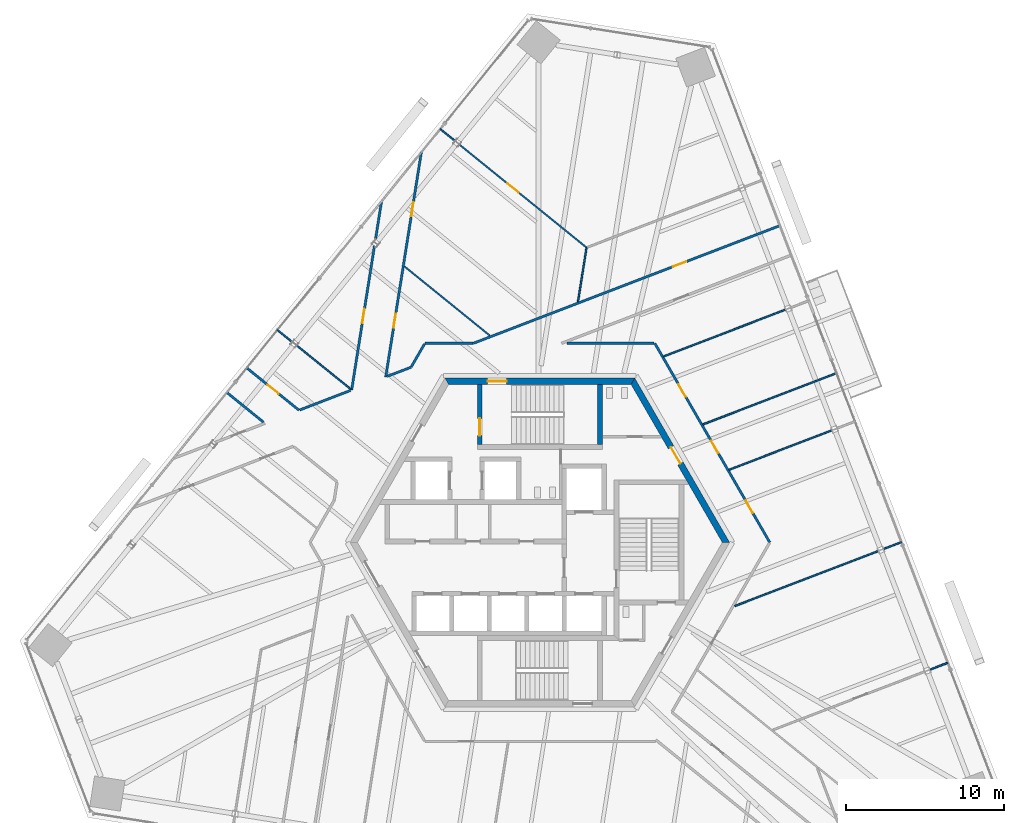
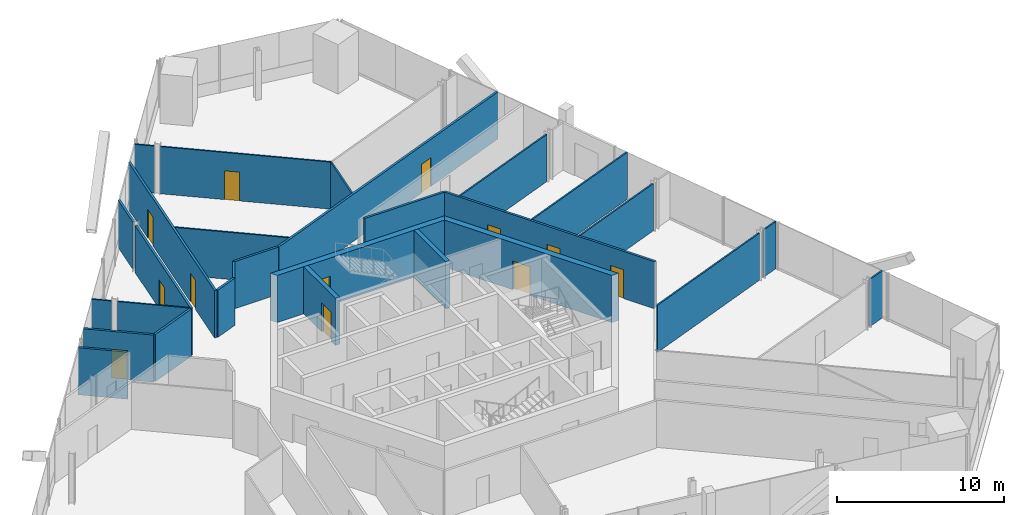
# One storey, part 14 of 19: 28 walls, 12 doors, 12 openings.
"""IFC4 building model written with IfcOpenShell, lengths in metres."""

from ifc_helpers import new_model, si_unit, direction, frame, frame_2d, origin, place, context, subcontext, project, spatial, polyline, rectangle, outline, extrude, source, transform, mapped, material, layer, layer_set, type_object, element, fill, save


model = new_model("IFC4")

# Units and contexts
model_context = context("Model", 3, precision=1e-05, world=origin(), true_north=direction((0.0, 1.0)))
body_context = subcontext(model_context, "Body", "Model", "MODEL_VIEW")
ifc_project = project(units=[si_unit("LENGTHUNIT", "METRE"), si_unit("AREAUNIT", "SQUARE_METRE"), si_unit("VOLUMEUNIT", "CUBIC_METRE"), si_unit("PLANEANGLEUNIT", "RADIAN"), si_unit("MASSUNIT", "GRAM", prefix="KILO")], contexts=[model_context])

# Site, building, storey
site_placement = place(None, origin())
site = spatial("IfcSite", under=ifc_project, at=site_placement, CompositionType="ELEMENT")
building_placement = place(site_placement, origin())
building = spatial("IfcBuilding", under=site, at=building_placement, Name="Triune Harvest Tower", CompositionType="ELEMENT")
storey_placement = place(building_placement, frame((0.0, 0.0, 164.10009765625)))
storey = spatial("IfcBuildingStorey", under=building, at=storey_placement, Name="L42", CompositionType="ELEMENT", Elevation=164.10009765625)

# Wall
ifc_material_1 = material(Name="Gypsum board on steel studs", Category="steel")
ifc_layer_1 = layer(ifc_material_1, 0.14990234375)
ifc_layer_set_1 = layer_set([ifc_layer_1], Name="Gypsum board on steel studs")
wall_type_1 = type_object("IfcWallType", Name="Fire Partition 150 mm", PredefinedType="PARTITIONING", material=ifc_layer_set_1)
wall_1_placement = place(storey_placement, frame((1.72607421875, 12.59228515625, 0.0), z_axis=(0.0, 0.0, 1.0), x_axis=(1.0, 0.0, 0.0)))
element("IfcWall", 1, at=wall_1_placement, inside=storey, type_object=wall_type_1, Name="Partition L42 020", PredefinedType="PARTITIONING", context=body_context, shape_type="SweptSolid", body=[
    extrude(rectangle(XDim=5.494140625, YDim=0.14990234375, at=frame_2d((2.7470703125, 0.0))), origin(), (0.0, 0.0, 1.0), 3.43994140625),
])

# Wall, openings, doors
wall_2_placement = place(storey_placement, frame((-9.745361328125, 10.465087890625, 0.0), z_axis=(0.0, 0.0, 1.0), x_axis=(0.156441111038, 0.98768728795, 0.0)))
wall_2 = element("IfcWall", 2, at=wall_2_placement, inside=storey, type_object=wall_type_1, Name="Partition L42 049", PredefinedType="PARTITIONING", context=body_context, shape_type="SweptSolid", body=[
    extrude(rectangle(XDim=14.38232421875, YDim=0.14990234375, at=frame_2d((7.191162109375, 0.0))), origin(), (0.0, 0.0, 1.0), 3.43994140625),
])
opening_1_placement = place(wall_2_placement, frame((10.2802734375, 0.0, 0.0)))
opening_1 = element("IfcOpeningElement", 3, at=opening_1_placement, cuts=wall_2, Name="Opening L42-008", PredefinedType="OPENING", context=body_context, shape_type="SweptSolid", body=[
    extrude(rectangle(XDim=0.89990234375, YDim=2.10009765625, at=frame_2d((0.449951171875, 1.050048828125))), frame((0.0, 0.0849609375, 0.0), z_axis=(0.0, -1.0, 0.0), x_axis=(1.0, 0.0, 0.0)), (0.0, 0.0, 1.0), 0.169921875),
])
opening_2_placement = place(wall_2_placement, frame((3.14990234375, 0.0, 0.0)))
opening_2 = element("IfcOpeningElement", 4, at=opening_2_placement, cuts=wall_2, Name="Opening L42-010", PredefinedType="OPENING", context=body_context, shape_type="SweptSolid", body=[
    extrude(rectangle(XDim=0.89990234375, YDim=2.10009765625, at=frame_2d((0.449951171875, 1.050048828125))), frame((0.0, 0.0849609375, 0.0), z_axis=(0.0, -1.0, 0.0), x_axis=(1.0, 0.0, 0.0)), (0.0, 0.0, 1.0), 0.169921875),
])
ifc_material_2 = material(Name="Timber and steel door set", Category="steel")
door_type_1 = type_object("IfcDoorType", Name="Single leaf door FD30 left hand 900 x 2100", OperationType="SINGLE_SWING_LEFT", PredefinedType="DOOR", material=ifc_material_2)
door_1_placement = place(opening_1_placement, origin())
door_1 = element("IfcDoor", 5, at=door_1_placement, inside=storey, type_object=door_type_1, Name="Door L42-008 Project Room 42.08", OperationType="SINGLE_SWING_LEFT", OverallHeight=2.10009765625, OverallWidth=0.89990234375, PredefinedType="DOOR", context=body_context, shape_type="SweptSolid", body=[
    extrude(rectangle(XDim=0.89990234375, YDim=2.10009765625, at=frame_2d((0.449951171875, 1.050048828125))), frame((0.0, 0.02490234375, 0.0), z_axis=(0.0, -1.0, 0.0), x_axis=(1.0, 0.0, 0.0)), (0.0, 0.0, 1.0), 0.050048828125),
])
fill(opening_1, door_1)
ifc_material_3 = material(Name="Timber and steel door set", Category="steel")
door_type_2 = type_object("IfcDoorType", Name="Single leaf door FD30 right hand 900 x 2100", OperationType="SINGLE_SWING_RIGHT", PredefinedType="DOOR", material=ifc_material_3)
door_2_placement = place(opening_2_placement, origin())
door_2 = element("IfcDoor", 6, at=door_2_placement, inside=storey, type_object=door_type_2, Name="Door L42-010 Meeting Room 42.10", OperationType="SINGLE_SWING_RIGHT", OverallHeight=2.10009765625, OverallWidth=0.89990234375, PredefinedType="DOOR", context=body_context, shape_type="SweptSolid", body=[
    extrude(rectangle(XDim=0.89990234375, YDim=2.10009765625, at=frame_2d((0.449951171875, 1.050048828125))), frame((0.0, 0.02490234375, 0.0), z_axis=(0.0, -1.0, 0.0), x_axis=(1.0, 0.0, 0.0)), (0.0, 0.0, 1.0), 0.050048828125),
])
fill(opening_2, door_2)

# Wall
ifc_material_4 = material(Name="Gypsum board on steel studs", Category="steel")
ifc_layer_2 = layer(ifc_material_4, 0.10009765625)
ifc_layer_set_2 = layer_set([ifc_layer_2], Name="Gypsum board on steel studs")
wall_type_2 = type_object("IfcWallType", Name="Partition 100 mm", PredefinedType="PARTITIONING", material=ifc_layer_set_2)
wall_3_placement = place(storey_placement, frame((10.302978515625, 7.45751953125, 0.0), z_axis=(0.0, 0.0, 1.0), x_axis=(0.933582245622, 0.358363210527, 0.0)))
element("IfcWall", 7, at=wall_3_placement, inside=storey, type_object=wall_type_2, Name="Partition L42 028", PredefinedType="PARTITIONING", context=body_context, shape_type="SweptSolid", body=[
    extrude(rectangle(XDim=9.0595703125, YDim=0.10009765625, at=frame_2d((4.52978515625, 0.0))), origin(), (0.0, 0.0, 1.0), 3.43994140625),
])

# Wall, opening, door
ifc_material_5 = material(Name="Concrete 70 MPa", Category="concrete")
ifc_layer_3 = layer(ifc_material_5, 0.39990234375)
ifc_layer_set_3 = layer_set([ifc_layer_3], Name="Concrete 70 MPa")
wall_type_3 = type_object("IfcWallType", Name="Core wall 400", PredefinedType="SHEAR", material=ifc_layer_set_3)
shared_shape_1 = source(origin(), body_context, "Body", "SweptSolid", [
    extrude(outline(polyline([(-0.115478515625, -0.199951171875), (11.884521484375, -0.199951171875), (11.653564453125, 0.199951171875), (0.115478515625, 0.199951171875), (-0.115478515625, -0.199951171875)])), origin(), (0.0, 0.0, 1.0), 3.43994140625),
])
wall_4_placement = place(storey_placement, frame((11.76904296875, 0.0, 0.0), z_axis=(0.0, 0.0, 1.0), x_axis=(-0.499996592174, 0.866027371285, 0.0)))
wall_4 = element("IfcWall", 8, at=wall_4_placement, inside=storey, type_object=wall_type_3, Name="Hexagon 0 wall", PredefinedType="SHEAR", context=body_context, shape_type="MappedRepresentation", body=[
    mapped(shared_shape_1, transform((0.0, 0.0, 0.0), scale=1.0)),
])
opening_3_placement = place(wall_4_placement, frame((5.75048828125, 0.0, 0.0)))
opening_3 = element("IfcOpeningElement", 9, at=opening_3_placement, cuts=wall_4, Name="Opening CD-WCP", PredefinedType="OPENING", context=body_context, shape_type="SweptSolid", body=[
    extrude(rectangle(XDim=1.199951171875, YDim=2.10009765625, at=frame_2d((0.60009765625, 1.050048828125))), frame((0.0, 0.2099609375, 0.0), z_axis=(0.0, -1.0, 0.0), x_axis=(1.0, 0.0, 0.0)), (0.0, 0.0, 1.0), 0.419921875),
])
ifc_material_6 = material(Name="Steel S235", Category="steel")
door_type_3 = type_object("IfcDoorType", Name="Lobby door 1200 FD120", OperationType="SINGLE_SWING_LEFT", PredefinedType="DOOR", material=ifc_material_6)
door_3_placement = place(opening_3_placement, frame((1.199951171875, 0.0, 0.0), z_axis=(0.0, 0.0, 1.0), x_axis=(-1.0, 0.0, 0.0)))
door_3 = element("IfcDoor", 10, at=door_3_placement, inside=storey, type_object=door_type_3, Name="Door CD-WCP", OperationType="SINGLE_SWING_RIGHT", OverallHeight=2.10009765625, OverallWidth=1.199951171875, PredefinedType="DOOR", context=body_context, shape_type="SweptSolid", body=[
    extrude(rectangle(XDim=1.199951171875, YDim=2.10009765625, at=frame_2d((0.60009765625, 1.050048828125))), frame((0.0, 0.02490234375, 0.0), z_axis=(0.0, -1.0, 0.0), x_axis=(1.0, 0.0, 0.0)), (0.0, 0.0, 1.0), 0.050048828125),
])
fill(opening_3, door_3)

wall_5_placement = place(storey_placement, frame((5.884521484375, 10.1923828125, 0.0), z_axis=(0.0, 0.0, 1.0), x_axis=(-1.0, 0.0, 0.0)))
wall_5 = element("IfcWall", 11, at=wall_5_placement, inside=storey, type_object=wall_type_3, Name="Hexagon 1 wall", PredefinedType="SHEAR", context=body_context, shape_type="MappedRepresentation", body=[
    mapped(shared_shape_1, transform((0.0, 0.0, 0.0), scale=1.0)),
])
opening_4_placement = place(wall_5_placement, frame((7.984619140625, 0.0, 0.0)))
opening_4 = element("IfcOpeningElement", 12, at=opening_4_placement, cuts=wall_5, Name="Opening CD-S1P", PredefinedType="OPENING", context=body_context, shape_type="SweptSolid", body=[
    extrude(rectangle(XDim=1.199951171875, YDim=2.10009765625, at=frame_2d((0.60009765625, 1.050048828125))), frame((0.0, 0.2099609375, 0.0), z_axis=(0.0, -1.0, 0.0), x_axis=(1.0, 0.0, 0.0)), (0.0, 0.0, 1.0), 0.419921875),
])
ifc_material_7 = material(Name="Steel S235", Category="steel")
door_type_4 = type_object("IfcDoorType", Name="Stair door 1200 FD120", OperationType="SINGLE_SWING_LEFT", PredefinedType="DOOR", material=ifc_material_7)
door_4_placement = place(opening_4_placement, frame((1.199951171875, 0.0, 0.0), z_axis=(0.0, 0.0, 1.0), x_axis=(-1.0, 0.0, 0.0)))
door_4 = element("IfcDoor", 13, at=door_4_placement, inside=storey, type_object=door_type_4, Name="Door CD-S1P", OperationType="SINGLE_SWING_RIGHT", OverallHeight=2.10009765625, OverallWidth=1.199951171875, PredefinedType="DOOR", context=body_context, shape_type="SweptSolid", body=[
    extrude(rectangle(XDim=1.199951171875, YDim=2.10009765625, at=frame_2d((0.60009765625, 1.050048828125))), frame((0.0, 0.02490234375, 0.0), z_axis=(0.0, -1.0, 0.0), x_axis=(1.0, 0.0, 0.0)), (0.0, 0.0, 1.0), 0.050048828125),
])
fill(opening_4, door_4)

ifc_material_8 = material(Name="Concrete 70 MPa", Category="concrete")
ifc_layer_4 = layer(ifc_material_8, 0.300048828125)
ifc_layer_set_4 = layer_set([ifc_layer_4], Name="Concrete 70 MPa")
wall_type_4 = type_object("IfcWallType", Name="Core wall 300", PredefinedType="SHEAR", material=ifc_layer_set_4)
shared_shape_2 = source(origin(), body_context, "Body", "SweptSolid", [
    extrude(outline(polyline([(0.0, -0.14990234375), (0.0, 0.14990234375), (3.80419921875, 0.14990234375), (3.80419921875, -0.14990234375), (0.0, -0.14990234375)])), origin(), (0.0, 0.0, 1.0), 3.43994140625),
])
wall_6_placement = place(storey_placement, frame((-3.800048828125, 6.18994140625, 0.0), z_axis=(0.0, 0.0, 1.0), x_axis=(0.0, 1.0, 0.0)))
wall_6 = element("IfcWall", 14, at=wall_6_placement, inside=storey, type_object=wall_type_4, Name="Stair n west wall", PredefinedType="SHEAR", context=body_context, shape_type="MappedRepresentation", body=[
    mapped(shared_shape_2, transform((0.0, 0.0, 0.0), scale=1.0)),
])
opening_5_placement = place(wall_6_placement, frame((0.56005859375, 0.0, 0.0)))
opening_5 = element("IfcOpeningElement", 15, at=opening_5_placement, cuts=wall_6, Name="Opening CD-S1L", PredefinedType="OPENING", context=body_context, shape_type="SweptSolid", body=[
    extrude(rectangle(XDim=1.10009765625, YDim=2.10009765625, at=frame_2d((0.550048828125, 1.050048828125))), frame((0.0, 0.16015625, 0.0), z_axis=(0.0, -1.0, 0.0), x_axis=(1.0, 0.0, 0.0)), (0.0, 0.0, 1.0), 0.320068359375),
])
ifc_material_9 = material(Name="Steel S235", Category="steel")
door_type_5 = type_object("IfcDoorType", Name="Stair door 1100 FD120", OperationType="SINGLE_SWING_LEFT", PredefinedType="DOOR", material=ifc_material_9)
door_5_placement = place(opening_5_placement, frame((1.10009765625, 0.0, 0.0), z_axis=(0.0, 0.0, 1.0), x_axis=(-1.0, 0.0, 0.0)))
door_5 = element("IfcDoor", 16, at=door_5_placement, inside=storey, type_object=door_type_5, Name="Door CD-S1L", OperationType="SINGLE_SWING_RIGHT", OverallHeight=2.10009765625, OverallWidth=1.10009765625, PredefinedType="DOOR", context=body_context, shape_type="SweptSolid", body=[
    extrude(rectangle(XDim=1.10009765625, YDim=2.10009765625, at=frame_2d((0.550048828125, 1.050048828125))), frame((0.0, 0.02490234375, 0.0), z_axis=(0.0, -1.0, 0.0), x_axis=(1.0, 0.0, 0.0)), (0.0, 0.0, 1.0), 0.050048828125),
])
fill(opening_5, door_5)

# Walls
wall_7_placement = place(storey_placement, frame((3.800048828125, 6.18994140625, 0.0), z_axis=(0.0, 0.0, 1.0), x_axis=(0.0, 1.0, 0.0)))
element("IfcWall", 17, at=wall_7_placement, inside=storey, type_object=wall_type_4, Name="Stair n east wall", PredefinedType="SHEAR", context=body_context, shape_type="MappedRepresentation", body=[
    mapped(shared_shape_2, transform((0.0, 0.0, 0.0), scale=1.0)),
])
shared_shape_3 = source(origin(), body_context, "Body", "SweptSolid", [
    extrude(rectangle(XDim=1.212158203125, YDim=0.10009765625, at=frame_2d((0.60595703125, 0.0))), origin(), (0.0, 0.0, 1.0), 3.43994140625),
])
for number, where, z_axis, x_axis, name in (
    (18, (-16.5927734375, 13.436279296875, 0.0), (0.0, 0.0, 1.0), (0.777240180322, -0.629204022629, 0.0), "Partition L42 011"),
    (19, (-6.30322265625, 26.142578125, 0.0), (0.0, 0.0, 1.0), (0.777240180322, -0.629204022629, 0.0), "Partition L42 016"),
    (20, (24.660400390625, -8.047119140625, 0.0), (0.0, 0.0, 1.0), (0.933594564159, 0.358331117506, 0.0), "Partition L42 022"),
    (21, (21.730712890625, -0.4150390625, 0.0), (0.0, 0.0, 1.0), (0.933594564159, 0.358331117506, 0.0), "Partition L42 024"),
):
    element("IfcWall", number, at=place(storey_placement, frame(where, z_axis=z_axis, x_axis=x_axis)), inside=storey, type_object=wall_type_2, Name=name, PredefinedType="PARTITIONING", context=body_context, shape_type="MappedRepresentation", body=[
        mapped(shared_shape_3, transform((0.0, 0.0, 0.0), scale=1.0)),
    ])

# Wall, opening, door
shared_shape_4 = source(origin(), body_context, "Body", "SweptSolid", [
    extrude(rectangle(XDim=10.345458984375, YDim=0.10009765625, at=frame_2d((5.1728515625, 0.0))), origin(), (0.0, 0.0, 1.0), 3.43994140625),
])
wall_8_placement = place(storey_placement, frame((-5.086669921875, 25.157470703125, 0.0), z_axis=(0.0, 0.0, 1.0), x_axis=(0.777155284418, -0.629308877978, 0.0)))
wall_8 = element("IfcWall", 22, at=wall_8_placement, inside=storey, type_object=wall_type_2, Name="Partition L42 017", PredefinedType="PARTITIONING", context=body_context, shape_type="MappedRepresentation", body=[
    mapped(shared_shape_4, transform((0.0, 0.0, 0.0), scale=1.0)),
])
opening_6_placement = place(wall_8_placement, frame((3.8955078125, 0.0, 0.0)))
opening_6 = element("IfcOpeningElement", 23, at=opening_6_placement, cuts=wall_8, Name="Opening L42-007", PredefinedType="OPENING", context=body_context, shape_type="SweptSolid", body=[
    extrude(rectangle(XDim=0.89990234375, YDim=2.10009765625, at=frame_2d((0.449951171875, 1.050048828125))), frame((0.0, 0.06005859375, 0.0), z_axis=(0.0, -1.0, 0.0), x_axis=(1.0, 0.0, 0.0)), (0.0, 0.0, 1.0), 0.1201171875),
])
ifc_material_10 = material(Name="Timber and steel door set", Category="steel")
door_type_6 = type_object("IfcDoorType", Name="Single leaf door left hand 900 x 2100", OperationType="SINGLE_SWING_LEFT", PredefinedType="DOOR", material=ifc_material_10)
door_6_placement = place(opening_6_placement, origin())
door_6 = element("IfcDoor", 24, at=door_6_placement, inside=storey, type_object=door_type_6, Name="Door L42-007 Reception 42.07", OperationType="SINGLE_SWING_LEFT", OverallHeight=2.10009765625, OverallWidth=0.89990234375, PredefinedType="DOOR", context=body_context, shape_type="SweptSolid", body=[
    extrude(rectangle(XDim=0.89990234375, YDim=2.10009765625, at=frame_2d((0.449951171875, 1.050048828125))), frame((0.0, 0.02490234375, 0.0), z_axis=(0.0, -1.0, 0.0), x_axis=(1.0, 0.0, 0.0)), (0.0, 0.0, 1.0), 0.050048828125),
])
fill(opening_6, door_6)

# Wall, openings, doors
shared_shape_5 = source(origin(), body_context, "Body", "SweptSolid", [
    extrude(rectangle(XDim=14.539794921875, YDim=0.14990234375, at=frame_2d((7.27001953125, 0.0))), origin(), (0.0, 0.0, 1.0), 3.43994140625),
])
wall_9_placement = place(storey_placement, frame((7.270263671875, 12.592041015625, 0.0), z_axis=(0.0, 0.0, 1.0), x_axis=(0.500007335828, -0.866021168401, 0.0)))
wall_9 = element("IfcWall", 25, at=wall_9_placement, inside=storey, type_object=wall_type_1, Name="Partition L42 004", PredefinedType="PARTITIONING", context=body_context, shape_type="MappedRepresentation", body=[
    mapped(shared_shape_5, transform((0.0, 0.0, 0.0), scale=1.0)),
])
opening_7_placement = place(wall_9_placement, frame((11.489990234375, 0.0, 0.0)))
opening_7 = element("IfcOpeningElement", 26, at=opening_7_placement, cuts=wall_9, Name="Opening L42-002", PredefinedType="OPENING", context=body_context, shape_type="SweptSolid", body=[
    extrude(rectangle(XDim=0.89990234375, YDim=2.10009765625, at=frame_2d((0.449951171875, 1.050048828125))), frame((0.0, 0.0849609375, 0.0), z_axis=(0.0, -1.0, 0.0), x_axis=(1.0, 0.0, 0.0)), (0.0, 0.0, 1.0), 0.169921875),
])
opening_8_placement = place(wall_9_placement, frame((3.003662109375, 0.0, 0.0)))
opening_8 = element("IfcOpeningElement", 27, at=opening_8_placement, cuts=wall_9, Name="Opening L42-003", PredefinedType="OPENING", context=body_context, shape_type="SweptSolid", body=[
    extrude(rectangle(XDim=0.89990234375, YDim=2.10009765625, at=frame_2d((0.449951171875, 1.050048828125))), frame((0.0, 0.0849609375, 0.0), z_axis=(0.0, -1.0, 0.0), x_axis=(1.0, 0.0, 0.0)), (0.0, 0.0, 1.0), 0.169921875),
])
opening_9_placement = place(wall_9_placement, frame((7.114501953125, 0.0, 0.0)))
opening_9 = element("IfcOpeningElement", 28, at=opening_9_placement, cuts=wall_9, Name="Opening L42-004", PredefinedType="OPENING", context=body_context, shape_type="SweptSolid", body=[
    extrude(rectangle(XDim=0.89990234375, YDim=2.10009765625, at=frame_2d((0.449951171875, 1.050048828125))), frame((0.0, 0.0849609375, 0.0), z_axis=(0.0, -1.0, 0.0), x_axis=(1.0, 0.0, 0.0)), (0.0, 0.0, 1.0), 0.169921875),
])
door_7_placement = place(opening_8_placement, origin())
door_7 = element("IfcDoor", 29, at=door_7_placement, inside=storey, type_object=door_type_1, Name="Door L42-003 Project Room 42.03", OperationType="SINGLE_SWING_LEFT", OverallHeight=2.10009765625, OverallWidth=0.89990234375, PredefinedType="DOOR", context=body_context, shape_type="SweptSolid", body=[
    extrude(rectangle(XDim=0.89990234375, YDim=2.10009765625, at=frame_2d((0.449951171875, 1.050048828125))), frame((0.0, 0.02490234375, 0.0), z_axis=(0.0, -1.0, 0.0), x_axis=(1.0, 0.0, 0.0)), (0.0, 0.0, 1.0), 0.050048828125),
])
fill(opening_8, door_7)
door_8_placement = place(opening_7_placement, origin())
door_8 = element("IfcDoor", 30, at=door_8_placement, inside=storey, type_object=door_type_2, Name="Door L42-002 Project Room 42.02", OperationType="SINGLE_SWING_RIGHT", OverallHeight=2.10009765625, OverallWidth=0.89990234375, PredefinedType="DOOR", context=body_context, shape_type="SweptSolid", body=[
    extrude(rectangle(XDim=0.89990234375, YDim=2.10009765625, at=frame_2d((0.449951171875, 1.050048828125))), frame((0.0, 0.02490234375, 0.0), z_axis=(0.0, -1.0, 0.0), x_axis=(1.0, 0.0, 0.0)), (0.0, 0.0, 1.0), 0.050048828125),
])
fill(opening_7, door_8)
door_9_placement = place(opening_9_placement, origin())
door_9 = element("IfcDoor", 31, at=door_9_placement, inside=storey, type_object=door_type_2, Name="Door L42-004 Phone room 42.04", OperationType="SINGLE_SWING_RIGHT", OverallHeight=2.10009765625, OverallWidth=0.89990234375, PredefinedType="DOOR", context=body_context, shape_type="SweptSolid", body=[
    extrude(rectangle(XDim=0.89990234375, YDim=2.10009765625, at=frame_2d((0.449951171875, 1.050048828125))), frame((0.0, 0.02490234375, 0.0), z_axis=(0.0, -1.0, 0.0), x_axis=(1.0, 0.0, 0.0)), (0.0, 0.0, 1.0), 0.050048828125),
])
fill(opening_9, door_9)

# Wall
shared_shape_6 = source(origin(), body_context, "Body", "SweptSolid", [
    extrude(rectangle(XDim=2.989013671875, YDim=0.14990234375, at=frame_2d((1.49462890625, 0.0))), origin(), (0.0, 0.0, 1.0), 3.43994140625),
])
wall_10_placement = place(storey_placement, frame((-19.794189453125, 9.482666015625, 0.0), z_axis=(0.0, 0.0, 1.0), x_axis=(0.777117409307, -0.629355648383, 0.0)))
element("IfcWall", 32, at=wall_10_placement, inside=storey, type_object=wall_type_1, Name="Partition L42 006", PredefinedType="PARTITIONING", context=body_context, shape_type="MappedRepresentation", body=[
    mapped(shared_shape_6, transform((0.0, 0.0, 0.0), scale=1.0)),
])

# Wall, opening, door
shared_shape_7 = source(origin(), body_context, "Body", "SweptSolid", [
    extrude(rectangle(XDim=4.25390625, YDim=0.14990234375, at=frame_2d((2.126953125, 0.0))), origin(), (0.0, 0.0, 1.0), 3.43994140625),
])
wall_11_placement = place(storey_placement, frame((-18.53564453125, 11.036865234375, 0.0), z_axis=(0.0, 0.0, 1.0), x_axis=(0.777153977788, -0.629310491577, 0.0)))
wall_11 = element("IfcWall", 33, at=wall_11_placement, inside=storey, type_object=wall_type_1, Name="Partition L42 009", PredefinedType="PARTITIONING", context=body_context, shape_type="MappedRepresentation", body=[
    mapped(shared_shape_7, transform((0.0, 0.0, 0.0), scale=1.0)),
])
opening_10_placement = place(wall_11_placement, frame((1.703857421875, 0.0, 0.0)))
opening_10 = element("IfcOpeningElement", 34, at=opening_10_placement, cuts=wall_11, Name="Opening L42-011", PredefinedType="OPENING", context=body_context, shape_type="SweptSolid", body=[
    extrude(rectangle(XDim=0.89990234375, YDim=2.10009765625, at=frame_2d((0.449951171875, 1.050048828125))), frame((0.0, 0.0849609375, 0.0), z_axis=(0.0, -1.0, 0.0), x_axis=(1.0, 0.0, 0.0)), (0.0, 0.0, 1.0), 0.169921875),
])
door_10_placement = place(opening_10_placement, origin())
door_10 = element("IfcDoor", 35, at=door_10_placement, inside=storey, type_object=door_type_2, Name="Door L42-011 Office 42.11", OperationType="SINGLE_SWING_RIGHT", OverallHeight=2.10009765625, OverallWidth=0.89990234375, PredefinedType="DOOR", context=body_context, shape_type="SweptSolid", body=[
    extrude(rectangle(XDim=0.89990234375, YDim=2.10009765625, at=frame_2d((0.449951171875, 1.050048828125))), frame((0.0, 0.02490234375, 0.0), z_axis=(0.0, -1.0, 0.0), x_axis=(1.0, 0.0, 0.0)), (0.0, 0.0, 1.0), 0.050048828125),
])
fill(opening_10, door_10)

# Walls
shared_shape_8 = source(origin(), body_context, "Body", "SweptSolid", [
    extrude(rectangle(XDim=4.381103515625, YDim=0.10009765625, at=frame_2d((2.1904296875, 0.0))), origin(), (0.0, 0.0, 1.0), 3.43994140625),
])
wall_12_placement = place(storey_placement, frame((-15.376220703125, 12.451171875, 0.0), z_axis=(0.0, 0.0, 1.0), x_axis=(0.777152723877, -0.629312040065, 0.0)))
element("IfcWall", 36, at=wall_12_placement, inside=storey, type_object=wall_type_2, Name="Partition L42 012", PredefinedType="PARTITIONING", context=body_context, shape_type="MappedRepresentation", body=[
    mapped(shared_shape_8, transform((0.0, 0.0, 0.0), scale=1.0)),
])
shared_shape_9 = source(origin(), body_context, "Body", "SweptSolid", [
    extrude(rectangle(XDim=6.950439453125, YDim=0.10009765625, at=frame_2d((3.47509765625, 0.0))), origin(), (0.0, 0.0, 1.0), 3.43994140625),
])
wall_13_placement = place(storey_placement, frame((-8.56005859375, 17.451171875, 0.0), z_axis=(0.0, 0.0, 1.0), x_axis=(0.777122974446, -0.629348776584, 0.0)))
element("IfcWall", 37, at=wall_13_placement, inside=storey, type_object=wall_type_2, Name="Partition L42 015", PredefinedType="PARTITIONING", context=body_context, shape_type="MappedRepresentation", body=[
    mapped(shared_shape_9, transform((0.0, 0.0, 0.0), scale=1.0)),
])
shared_shape_10 = source(origin(), body_context, "Body", "SweptSolid", [
    extrude(rectangle(XDim=3.05615234375, YDim=0.14990234375, at=frame_2d((1.528076171875, 0.0))), origin(), (0.0, 0.0, 1.0), 3.43994140625),
])
wall_14_placement = place(storey_placement, frame((-7.270263671875, 12.59228515625, 0.0), z_axis=(0.0, 0.0, 1.0), x_axis=(1.0, 0.0, 0.0)))
element("IfcWall", 38, at=wall_14_placement, inside=storey, type_object=wall_type_1, Name="Partition L42 019", PredefinedType="PARTITIONING", context=body_context, shape_type="MappedRepresentation", body=[
    mapped(shared_shape_10, transform((0.0, 0.0, 0.0), scale=1.0)),
])
shared_shape_11 = source(origin(), body_context, "Body", "SweptSolid", [
    extrude(rectangle(XDim=9.72119140625, YDim=0.10009765625, at=frame_2d((4.860595703125, 0.0))), origin(), (0.0, 0.0, 1.0), 3.43994140625),
])
wall_15_placement = place(storey_placement, frame((12.3251953125, -4.025390625, 0.0), z_axis=(0.0, 0.0, 1.0), x_axis=(0.933575198218, 0.35838156938, 0.0)))
element("IfcWall", 39, at=wall_15_placement, inside=storey, type_object=wall_type_2, Name="Partition L42 023", PredefinedType="PARTITIONING", context=body_context, shape_type="MappedRepresentation", body=[
    mapped(shared_shape_11, transform((0.0, 0.0, 0.0), scale=1.0)),
])
shared_shape_12 = source(origin(), body_context, "Body", "SweptSolid", [
    extrude(rectangle(XDim=6.975830078125, YDim=0.10009765625, at=frame_2d((3.48779296875, 0.0))), origin(), (0.0, 0.0, 1.0), 3.43994140625),
])
wall_16_placement = place(storey_placement, frame((11.95849609375, 4.5908203125, 0.0), z_axis=(0.0, 0.0, 1.0), x_axis=(0.933575428169, 0.358380970364, 0.0)))
element("IfcWall", 40, at=wall_16_placement, inside=storey, type_object=wall_type_2, Name="Partition L42 026", PredefinedType="PARTITIONING", context=body_context, shape_type="MappedRepresentation", body=[
    mapped(shared_shape_12, transform((0.0, 0.0, 0.0), scale=1.0)),
])
shared_shape_13 = source(origin(), body_context, "Body", "SweptSolid", [
    extrude(rectangle(XDim=8.270751953125, YDim=0.10009765625, at=frame_2d((4.13525390625, 0.0))), origin(), (0.0, 0.0, 1.0), 3.43994140625),
])
wall_17_placement = place(storey_placement, frame((7.820068359375, 11.75830078125, 0.0), z_axis=(0.0, 0.0, 1.0), x_axis=(0.933575170853, 0.358381640666, 0.0)))
element("IfcWall", 41, at=wall_17_placement, inside=storey, type_object=wall_type_2, Name="Partition L42 029", PredefinedType="PARTITIONING", context=body_context, shape_type="MappedRepresentation", body=[
    mapped(shared_shape_13, transform((0.0, 0.0, 0.0), scale=1.0)),
])
shared_shape_14 = source(origin(), body_context, "Body", "SweptSolid", [
    extrude(rectangle(XDim=3.435302734375, YDim=0.14990234375, at=frame_2d((1.7177734375, 0.0))), origin(), (0.0, 0.0, 1.0), 3.43994140625),
])
wall_18_placement = place(storey_placement, frame((-15.18310546875, 8.377685546875, 0.0), z_axis=(0.0, 0.0, 1.0), x_axis=(0.933567062132, 0.358402762967, 0.0)))
element("IfcWall", 42, at=wall_18_placement, inside=storey, type_object=wall_type_1, Name="Partition L42 035", PredefinedType="PARTITIONING", context=body_context, shape_type="MappedRepresentation", body=[
    mapped(shared_shape_14, transform((0.0, 0.0, 0.0), scale=1.0)),
])
shared_shape_15 = source(origin(), body_context, "Body", "SweptSolid", [
    extrude(rectangle(XDim=1.606201171875, YDim=0.14990234375, at=frame_2d((0.80322265625, 0.0))), origin(), (0.0, 0.0, 1.0), 3.43994140625),
])
wall_19_placement = place(storey_placement, frame((-9.642822265625, 10.50439453125, 0.0), z_axis=(0.0, 0.0, 1.0), x_axis=(0.933564808853, 0.358408632249, 0.0)))
element("IfcWall", 43, at=wall_19_placement, inside=storey, type_object=wall_type_1, Name="Partition L42 036", PredefinedType="PARTITIONING", context=body_context, shape_type="MappedRepresentation", body=[
    mapped(shared_shape_15, transform((0.0, 0.0, 0.0), scale=1.0)),
])

# Wall, opening, door
shared_shape_16 = source(origin(), body_context, "Body", "SweptSolid", [
    extrude(rectangle(XDim=20.762451171875, YDim=0.14990234375, at=frame_2d((10.38134765625, 0.0))), origin(), (0.0, 0.0, 1.0), 3.43994140625),
])
wall_20_placement = place(storey_placement, frame((-4.20361328125, 12.592529296875, 0.0), z_axis=(0.0, 0.0, 1.0), x_axis=(0.933578464151, 0.358373061591, 0.0)))
wall_20 = element("IfcWall", 44, at=wall_20_placement, inside=storey, type_object=wall_type_1, Name="Partition L42 037", PredefinedType="PARTITIONING", context=body_context, shape_type="MappedRepresentation", body=[
    mapped(shared_shape_16, transform((0.0, 0.0, 0.0), scale=1.0)),
])
opening_11_placement = place(wall_20_placement, frame((13.51220703125, 0.0, 0.0)))
opening_11 = element("IfcOpeningElement", 45, at=opening_11_placement, cuts=wall_20, Name="Opening L42-005", PredefinedType="OPENING", context=body_context, shape_type="SweptSolid", body=[
    extrude(rectangle(XDim=0.89990234375, YDim=2.10009765625, at=frame_2d((0.449951171875, 1.050048828125))), frame((0.0, 0.0849609375, 0.0), z_axis=(0.0, -1.0, 0.0), x_axis=(1.0, 0.0, 0.0)), (0.0, 0.0, 1.0), 0.169921875),
])
door_11_placement = place(opening_11_placement, origin())
door_11 = element("IfcDoor", 46, at=door_11_placement, inside=storey, type_object=door_type_2, Name="Door L42-005 Meeting Room 42.05", OperationType="SINGLE_SWING_RIGHT", OverallHeight=2.10009765625, OverallWidth=0.89990234375, PredefinedType="DOOR", context=body_context, shape_type="SweptSolid", body=[
    extrude(rectangle(XDim=0.89990234375, YDim=2.10009765625, at=frame_2d((0.449951171875, 1.050048828125))), frame((0.0, 0.02490234375, 0.0), z_axis=(0.0, -1.0, 0.0), x_axis=(1.0, 0.0, 0.0)), (0.0, 0.0, 1.0), 0.050048828125),
])
fill(opening_11, door_11)

# Walls
shared_shape_17 = source(origin(), body_context, "Body", "SweptSolid", [
    extrude(rectangle(XDim=1.676025390625, YDim=0.14990234375, at=frame_2d((0.837890625, 0.0))), origin(), (0.0, 0.0, 1.0), 3.43994140625),
])
wall_21_placement = place(storey_placement, frame((-8.12841796875, 11.106201171875, 0.0), z_axis=(0.0, 0.0, 1.0), x_axis=(0.500071299944, 0.865984234829, 0.0)))
element("IfcWall", 47, at=wall_21_placement, inside=storey, type_object=wall_type_1, Name="Partition L42 042", PredefinedType="PARTITIONING", context=body_context, shape_type="MappedRepresentation", body=[
    mapped(shared_shape_17, transform((0.0, 0.0, 0.0), scale=1.0)),
])
shared_shape_18 = source(origin(), body_context, "Body", "SweptSolid", [
    extrude(rectangle(XDim=3.454833984375, YDim=0.10009765625, at=frame_2d((1.7275390625, 0.0))), origin(), (0.0, 0.0, 1.0), 3.43994140625),
])
wall_22_placement = place(storey_placement, frame((2.409912109375, 15.214599609375, 0.0), z_axis=(0.0, 0.0, 1.0), x_axis=(0.156452435022, 0.987685494262, 0.0)))
element("IfcWall", 48, at=wall_22_placement, inside=storey, type_object=wall_type_2, Name="Partition L42 045", PredefinedType="PARTITIONING", context=body_context, shape_type="MappedRepresentation", body=[
    mapped(shared_shape_18, transform((0.0, 0.0, 0.0), scale=1.0)),
])

# Wall, opening, door
shared_shape_19 = source(origin(), body_context, "Body", "SweptSolid", [
    extrude(rectangle(XDim=9.235595703125, YDim=0.14990234375, at=frame_2d((4.61767578125, 0.0))), origin(), (0.0, 0.0, 1.0), 3.43994140625),
])
wall_23_placement = place(storey_placement, frame((-11.9013671875, 9.6376953125, 0.0), z_axis=(0.0, 0.0, 1.0), x_axis=(0.156441741277, 0.987687188125, 0.0)))
wall_23 = element("IfcWall", 49, at=wall_23_placement, inside=storey, type_object=wall_type_1, Name="Partition L42 052", PredefinedType="PARTITIONING", context=body_context, shape_type="MappedRepresentation", body=[
    mapped(shared_shape_19, transform((0.0, 0.0, 0.0), scale=1.0)),
])
opening_12_placement = place(wall_23_placement, frame((4.28955078125, 0.0, 0.0)))
opening_12 = element("IfcOpeningElement", 50, at=opening_12_placement, cuts=wall_23, Name="Opening L42-009", PredefinedType="OPENING", context=body_context, shape_type="SweptSolid", body=[
    extrude(rectangle(XDim=0.89990234375, YDim=2.10009765625, at=frame_2d((0.449951171875, 1.050048828125))), frame((0.0, 0.0849609375, 0.0), z_axis=(0.0, -1.0, 0.0), x_axis=(1.0, 0.0, 0.0)), (0.0, 0.0, 1.0), 0.169921875),
])
door_12_placement = place(opening_12_placement, origin())
door_12 = element("IfcDoor", 51, at=door_12_placement, inside=storey, type_object=door_type_2, Name="Door L42-009 Meeting Room 42.09", OperationType="SINGLE_SWING_RIGHT", OverallHeight=2.10009765625, OverallWidth=0.89990234375, PredefinedType="DOOR", context=body_context, shape_type="SweptSolid", body=[
    extrude(rectangle(XDim=0.89990234375, YDim=2.10009765625, at=frame_2d((0.449951171875, 1.050048828125))), frame((0.0, 0.02490234375, 0.0), z_axis=(0.0, -1.0, 0.0), x_axis=(1.0, 0.0, 0.0)), (0.0, 0.0, 1.0), 0.050048828125),
])
fill(opening_12, door_12)

# Wall
shared_shape_20 = source(origin(), body_context, "Body", "SweptSolid", [
    extrude(rectangle(XDim=2.428955078125, YDim=0.14990234375, at=frame_2d((1.21435546875, 0.0))), origin(), (0.0, 0.0, 1.0), 3.43994140625),
])
wall_24_placement = place(storey_placement, frame((-10.392578125, 19.16259765625, 0.0), z_axis=(0.0, 0.0, 1.0), x_axis=(0.156390941552, 0.987695233055, 0.0)))
element("IfcWall", 52, at=wall_24_placement, inside=storey, type_object=wall_type_1, Name="Partition L42 053", PredefinedType="PARTITIONING", context=body_context, shape_type="MappedRepresentation", body=[
    mapped(shared_shape_20, transform((0.0, 0.0, 0.0), scale=1.0)),
])

save(model, "model.ifc")
